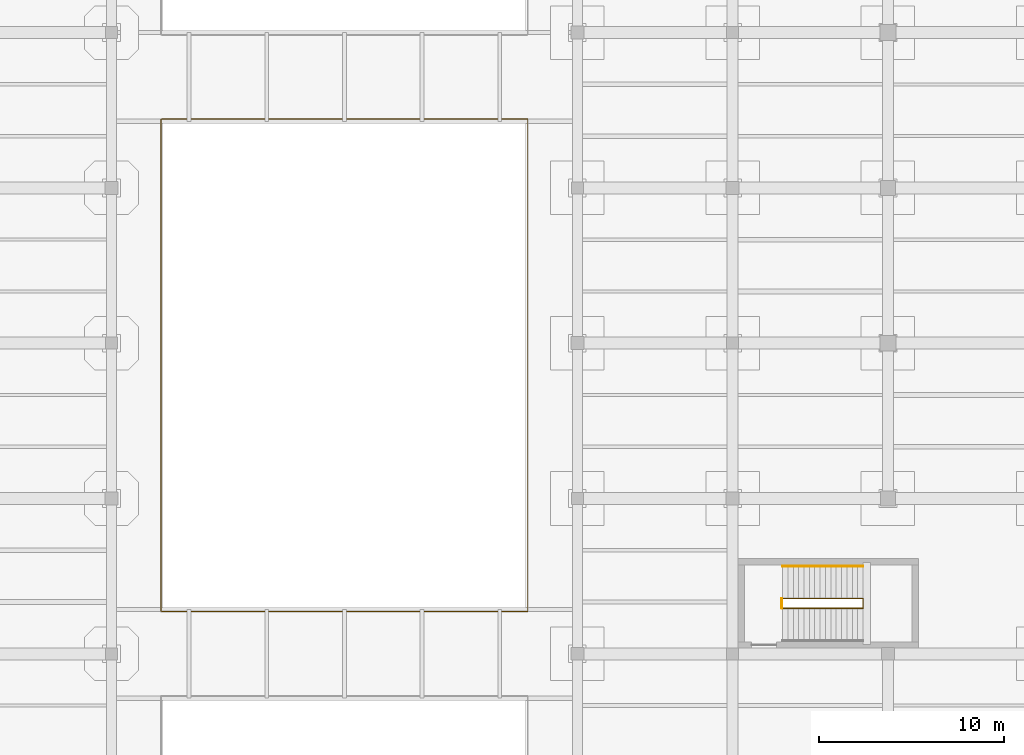
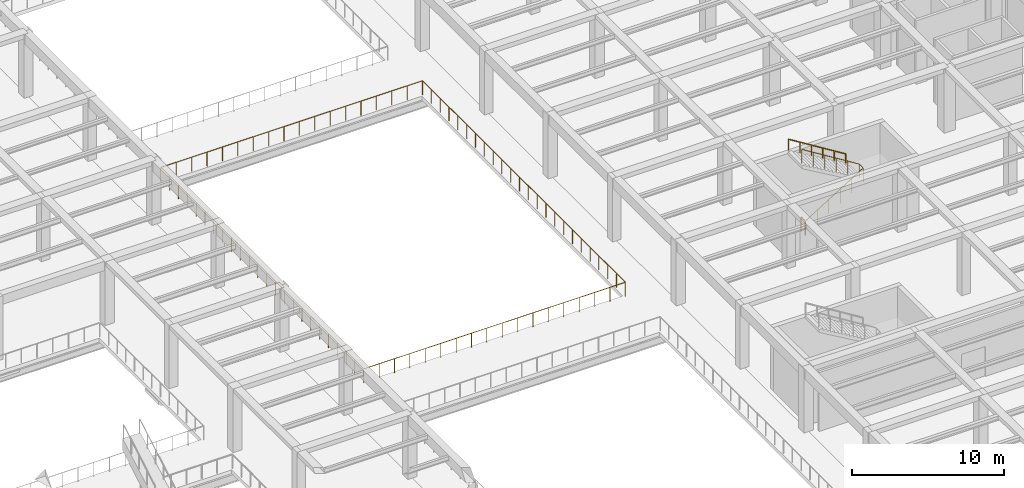
# One storey, part 60 of 65: 4 railings.
"""IFC4 building model written with IfcOpenShell, lengths in metres."""

import ifcopenshell
import ifcopenshell.guid

model = None  # the IFC model being written
_history = None  # IfcOwnerHistory: only IFC2X3 demands one
_inside = {}  # id of a spatial element -> (the spatial element, [elements in it])
_under = {}  # id of a project, library or spatial element -> (it, [spatial elements below it])
_declared = {}  # id of a project -> (the project, [libraries it declares])
_typed = {}  # id of a type object -> (the type object, [elements of that type])
_made_of = {}  # id of a material, layer set ... -> (it, [elements and type objects made of it])


def new_model(schema):
    """Start an empty IFC model of exactly this schema.

    Asked for "IFC4X3", IfcOpenShell would pick the latest addendum, in which some entities
    have other attributes; the version numbers below select the first issue.
    IFC2X3 requires an IfcOwnerHistory on every rooted entity: one is made here for all.
    """
    global model, _history
    if schema == "IFC4X3":
        model = ifcopenshell.file(schema_version=(4, 3, 0, 0))
    else:
        model = ifcopenshell.file(schema=schema)
    _inside.clear()
    _under.clear()
    _declared.clear()
    _typed.clear()
    _made_of.clear()
    _history = None
    if model.schema == "IFC2X3":
        org = make("IfcOrganization", Name="unknown")
        user = make(
            "IfcPersonAndOrganization",
            ThePerson=make("IfcPerson", FamilyName="unknown"),
            TheOrganization=org,
        )
        app = make(
            "IfcApplication",
            ApplicationDeveloper=org,
            Version="unknown",
            ApplicationFullName="unknown",
            ApplicationIdentifier="unknown",
        )
        _history = make(
            "IfcOwnerHistory",
            OwningUser=user,
            OwningApplication=app,
            ChangeAction="ADDED",
            CreationDate=0,
        )
    return model


def make(cls, **values):
    """One entity of the class cls with the attributes given. An attribute that is None is left unset."""
    return model.create_entity(
        cls, **{name: value for name, value in values.items() if value is not None}
    )


def rooted(cls, **values):
    """An entity with a GlobalId (a new one), such as an element, a storey or a relation."""
    return make(cls, GlobalId=ifcopenshell.guid.new(), OwnerHistory=_history, **values)


def si_unit(unit_type, name, prefix=None):
    """IfcSIUnit, for example si_unit("LENGTHUNIT", "METRE", prefix="MILLI")."""
    return make("IfcSIUnit", UnitType=unit_type, Prefix=prefix, Name=name)


def assignment(units):
    """IfcUnitAssignment: the units of a project."""
    return None if units is None else make("IfcUnitAssignment", Units=units)


def point(xyz):
    """IfcCartesianPoint."""
    return None if xyz is None else make("IfcCartesianPoint", Coordinates=xyz)


def direction(xyz):
    """IfcDirection."""
    return None if xyz is None else make("IfcDirection", DirectionRatios=xyz)


def frame(location, z_axis=None, x_axis=None):
    """IfcAxis2Placement3D, a coordinate frame: its origin and axes. An axis left out is left unset."""
    return make(
        "IfcAxis2Placement3D",
        Location=point(location),
        Axis=direction(z_axis),
        RefDirection=direction(x_axis),
    )


def frame_2d(location, x_axis=None):
    """IfcAxis2Placement2D, a coordinate frame in the plane: its origin and x axis."""
    return make(
        "IfcAxis2Placement2D", Location=point(location), RefDirection=direction(x_axis)
    )


def origin():
    """The frame at (0, 0, 0) with its axes left unset."""
    return frame((0.0, 0.0, 0.0))


def origin_2d():
    """The frame at (0, 0) in the plane with its x axis left unset."""
    return frame_2d((0.0, 0.0))


def place(relative_to, where):
    """IfcLocalPlacement: puts the frame where relative to a parent placement (None: the world)."""
    return make(
        "IfcLocalPlacement", PlacementRelTo=relative_to, RelativePlacement=where
    )


def context(
    kind, dimensions, precision=None, world=None, true_north=None, identifier=None
):
    """IfcGeometricRepresentationContext, for example the 3D "Model" context."""
    return make(
        "IfcGeometricRepresentationContext",
        ContextIdentifier=identifier,
        ContextType=kind,
        CoordinateSpaceDimension=dimensions,
        Precision=precision,
        WorldCoordinateSystem=world,
        TrueNorth=true_north,
    )


def subcontext(parent, identifier, kind, view, scale=None):
    """IfcGeometricRepresentationSubContext, for example "Body" below "Model"."""
    return make(
        "IfcGeometricRepresentationSubContext",
        ContextIdentifier=identifier,
        ContextType=kind,
        ParentContext=parent,
        TargetScale=scale,
        TargetView=view,
    )


def project(units=None, contexts=None):
    """IfcProject with its units and contexts."""
    return rooted(
        "IfcProject",
        Name="project",
        RepresentationContexts=contexts,
        UnitsInContext=assignment(units),
    )


def spatial(cls, under=None, at=None, **own):
    """A site, building, storey or space (cls), placed at a placement, below another one or the project."""
    s = rooted(cls, ObjectPlacement=at, **own)
    if under is not None:
        _under.setdefault(under.id(), (under, []))[1].append(s)
    return s


def profile(cls, at=None, kind="AREA", **sizes):
    """A parametric profile (cls). Its sizes go by their IFC names, for example OverallWidth=200.0."""
    return make(cls, ProfileType=kind, Position=at, **sizes)


def circle(**sizes):
    """IfcCircleProfileDef."""
    return profile("IfcCircleProfileDef", **sizes)


def extrude(swept, where, along, depth):
    """IfcExtrudedAreaSolid: the profile swept, set in the frame where, extruded along a direction by depth."""
    return make(
        "IfcExtrudedAreaSolid",
        SweptArea=swept,
        Position=where,
        ExtrudedDirection=direction(along),
        Depth=depth,
    )


def shape(context_of_items, identifier, shape_type, items):
    """IfcShapeRepresentation: the items that make up one representation, for example the "Body"."""
    return make(
        "IfcShapeRepresentation",
        ContextOfItems=context_of_items,
        RepresentationIdentifier=identifier,
        RepresentationType=shape_type,
        Items=items,
    )


def material(Name=None, Category=None):
    """IfcMaterial."""
    return make("IfcMaterial", Name=Name, Category=Category)


def made_of(thing, what):
    """Note that an element or type object is made of a material, layer set ...; save() writes the relation."""
    if what is not None:
        _made_of.setdefault(what.id(), (what, []))[1].append(thing)
    return thing


def type_object(cls, material=None, **own):
    """A type object (cls), such as IfcWallType, which elements share."""
    return made_of(rooted(cls, **own), material)


def element(
    cls,
    number,
    at=None,
    inside=None,
    cuts=None,
    type_object=None,
    material=None,
    context=None,
    identifier="Body",
    shape_type=None,
    held_by="IfcProductDefinitionShape",
    body=None,
    shapes=None,
    **own,
):
    """One element of the class cls, such as IfcWall. Its Tag is "e" and its number.

    at: its placement. inside: the storey or other place that contains it. cuts: it is an
    opening in that element (IfcRelVoidsElement). A single representation is given by context,
    identifier, shape_type and body (its items); several are given by shapes. held_by: the class
    of the entity that holds the representations. save() writes the other relations.
    """
    e = rooted(cls, Tag="e%d" % number, ObjectPlacement=at, **own)
    if body is not None:
        shapes = [shape(context, identifier, shape_type, body)]
    if shapes is not None:
        e.Representation = make(held_by, Representations=shapes)
    if inside is not None:
        _inside.setdefault(inside.id(), (inside, []))[1].append(e)
    if cuts is not None:
        rooted(
            "IfcRelVoidsElement", RelatingBuildingElement=cuts, RelatedOpeningElement=e
        )
    if type_object is not None:
        _typed.setdefault(type_object.id(), (type_object, []))[1].append(e)
    return made_of(e, material)


def aggregate(whole, parts):
    """IfcRelAggregates: a whole, such as a stair, and the parts it consists of."""
    return rooted("IfcRelAggregates", RelatingObject=whole, RelatedObjects=parts)


def save(model, path):
    """Write the relations noted so far, then the file.

    IfcRelAggregates (storeys below a building ...), IfcRelContainedInSpatialStructure (elements
    in a storey), IfcRelDefinesByType, IfcRelAssociatesMaterial and IfcRelDeclares: one each for
    every whole, place, type object, material and project.
    """
    for whole, parts in _under.values():
        aggregate(whole, parts)
    for where, things in _inside.values():
        rooted(
            "IfcRelContainedInSpatialStructure",
            RelatedElements=things,
            RelatingStructure=where,
        )
    for kind, things in _typed.values():
        rooted("IfcRelDefinesByType", RelatedObjects=things, RelatingType=kind)
    for what, things in _made_of.values():
        rooted("IfcRelAssociatesMaterial", RelatedObjects=things, RelatingMaterial=what)
    for by, libraries in _declared.values():
        rooted("IfcRelDeclares", RelatingContext=by, RelatedDefinitions=libraries)
    model.write(path)


model = new_model("IFC4")

# Units and contexts
model_context = context("Model", 3, precision=1e-05, world=origin(), true_north=direction((0.0, 1.0)))
body_context = subcontext(model_context, "Body", "Model", "MODEL_VIEW")
ifc_project = project(units=[si_unit("LENGTHUNIT", "METRE"), si_unit("AREAUNIT", "SQUARE_METRE"), si_unit("VOLUMEUNIT", "CUBIC_METRE"), si_unit("PLANEANGLEUNIT", "RADIAN"), si_unit("MASSUNIT", "GRAM", prefix="KILO")], contexts=[model_context])

# Site, building, storey
site_placement = place(None, origin())
site = spatial("IfcSite", under=ifc_project, at=site_placement, CompositionType="ELEMENT")
building_placement = place(site_placement, origin())
building = spatial("IfcBuilding", under=site, at=building_placement, Name="Almacenes y Pasaje Nevantli", CompositionType="ELEMENT")
storey_placement = place(building_placement, frame((0.0, 0.0, 16.800048828125)))
storey = spatial("IfcBuildingStorey", under=building, at=storey_placement, Name="L04", CompositionType="ELEMENT", Elevation=16.800048828125)

# Railings
ifc_material_1 = material(Name="Brushed Stainless Steel and Tempered Safety Glass", Category="steel")
railing_type_1 = type_object("IfcRailingType", Name="RL-GUARD-1100", PredefinedType="BALUSTRADE", material=ifc_material_1)
railing_1_placement = place(storey_placement, frame((103.5, 61.260009765625, 0.0)))
element("IfcRailing", 1, at=railing_1_placement, inside=storey, type_object=railing_type_1, Name="L04 Stair ST-13 Inner Well Guard Balustrade", PredefinedType="BALUSTRADE", context=body_context, shape_type="SweptSolid", body=[
    extrude(circle(Radius=0.02392578125, at=origin_2d()), frame((0.025390625, 0.0, 1.1416015625), z_axis=(0.849649743971, 0.0, 0.527347430608), x_axis=(0.0, 1.0, 0.0)), (0.0, 0.0, 1.0), 5.059814453125),
    extrude(circle(Radius=0.02392578125, at=origin_2d()), frame((4.35009765625, 0.030029296875, 3.82568359375), z_axis=(0.0, 1.0, 0.0), x_axis=(-1.0, 0.0, 0.0)), (0.0, 0.0, 1.0), 0.469970703125),
    extrude(circle(Radius=0.02392578125, at=origin_2d()), frame((4.32470703125, 0.530029296875, 3.841552734375), z_axis=(-0.849649743971, 0.0, 0.527347430608), x_axis=(0.0, -1.0, 0.0)), (0.0, 0.0, 1.0), 5.059814453125),
    extrude(circle(Radius=0.02099609375, at=origin_2d()), origin(), (0.0, 0.0, 1.0), 1.096923828125),
    extrude(circle(Radius=0.02099609375, at=origin_2d()), frame((0.8701171875, 0.0, 0.5400390625)), (0.0, 0.0, 1.0), 1.096923828125),
    extrude(circle(Radius=0.02099609375, at=origin_2d()), frame((1.739990234375, 0.0, 1.080078125)), (0.0, 0.0, 1.0), 1.096923828125),
    extrude(circle(Radius=0.02099609375, at=origin_2d()), frame((2.610107421875, 0.0, 1.619873046875)), (0.0, 0.0, 1.0), 1.096923828125),
    extrude(circle(Radius=0.02099609375, at=origin_2d()), frame((3.47998046875, 0.0, 2.159912109375)), (0.0, 0.0, 1.0), 1.096923828125),
    extrude(circle(Radius=0.02099609375, at=origin_2d()), frame((4.35009765625, 0.0, 2.699951171875)), (0.0, 0.0, 1.0), 1.096923828125),
    extrude(circle(Radius=0.02099609375, at=origin_2d()), frame((4.35009765625, 0.530029296875, 2.699951171875)), (0.0, 0.0, 1.0), 1.096923828125),
    extrude(circle(Radius=0.02099609375, at=origin_2d()), frame((3.47998046875, 0.530029296875, 3.239990234375)), (0.0, 0.0, 1.0), 1.096923828125),
    extrude(circle(Radius=0.02099609375, at=origin_2d()), frame((2.610107421875, 0.530029296875, 3.780029296875)), (0.0, 0.0, 1.0), 1.096923828125),
    extrude(circle(Radius=0.02099609375, at=origin_2d()), frame((1.739990234375, 0.530029296875, 4.31982421875)), (0.0, 0.0, 1.0), 1.096923828125),
    extrude(circle(Radius=0.02099609375, at=origin_2d()), frame((0.8701171875, 0.530029296875, 4.85986328125)), (0.0, 0.0, 1.0), 1.096923828125),
    extrude(circle(Radius=0.02099609375, at=origin_2d()), frame((0.0, 0.530029296875, 5.39990234375)), (0.0, 0.0, 1.0), 1.096923828125),
])
railing_2_placement = place(storey_placement, frame((103.4599609375, 61.260009765625, 0.0)))
element("IfcRailing", 2, at=railing_2_placement, inside=storey, type_object=railing_type_1, Name="L04 Stair ST-13 Landing Well Slot Guard", PredefinedType="BALUSTRADE", context=body_context, shape_type="SweptSolid", body=[
    extrude(circle(Radius=0.02392578125, at=origin_2d()), frame((0.0, 0.030029296875, 1.1259765625), z_axis=(0.0, 1.0, 0.0), x_axis=(-1.0, 0.0, 0.0)), (0.0, 0.0, 1.0), 0.469970703125),
    extrude(circle(Radius=0.02099609375, at=origin_2d()), origin(), (0.0, 0.0, 1.0), 1.096923828125),
    extrude(circle(Radius=0.02099609375, at=origin_2d()), frame((0.0, 0.530029296875, 0.0)), (0.0, 0.0, 1.0), 1.096923828125),
])
railing_3_placement = place(storey_placement, frame((69.8798828125, 61.080078125, 0.0)))
element("IfcRailing", 3, at=railing_3_placement, inside=storey, type_object=railing_type_1, Name="L04 Arcade Galleria Void VOID-ARC-3 Guard Balustrade", PredefinedType="BALUSTRADE", context=body_context, shape_type="SweptSolid", body=[
    extrude(circle(Radius=0.02392578125, at=origin_2d()), frame((0.030029296875, 0.0, 1.1259765625), z_axis=(1.0, 0.0, 0.0), x_axis=(0.0, 1.0, 0.0)), (0.0, 0.0, 1.0), 19.780029296875),
    extrude(circle(Radius=0.02392578125, at=origin_2d()), frame((19.840087890625, 0.030029296875, 1.1259765625), z_axis=(0.0, 1.0, 0.0), x_axis=(-1.0, 0.0, 0.0)), (0.0, 0.0, 1.0), 26.579833984375),
    extrude(circle(Radius=0.02392578125, at=origin_2d()), frame((19.81005859375, 26.639892578125, 1.1259765625), z_axis=(-1.0, 0.0, 0.0), x_axis=(0.0, -1.0, 0.0)), (0.0, 0.0, 1.0), 19.780029296875),
    extrude(circle(Radius=0.02392578125, at=origin_2d()), frame((0.0, 26.60986328125, 1.1259765625), z_axis=(0.0, -1.0, 0.0), x_axis=(1.0, 0.0, 0.0)), (0.0, 0.0, 1.0), 26.579833984375),
    extrude(circle(Radius=0.02099609375, at=origin_2d()), origin(), (0.0, 0.0, 1.0), 1.096923828125),
    extrude(circle(Radius=0.02099609375, at=origin_2d()), frame((1.1669921875, 0.0, 0.0)), (0.0, 0.0, 1.0), 1.096923828125),
    extrude(circle(Radius=0.02099609375, at=origin_2d()), frame((2.334228515625, 0.0, 0.0)), (0.0, 0.0, 1.0), 1.096923828125),
    extrude(circle(Radius=0.02099609375, at=origin_2d()), frame((3.501220703125, 0.0, 0.0)), (0.0, 0.0, 1.0), 1.096923828125),
    extrude(circle(Radius=0.02099609375, at=origin_2d()), frame((4.668212890625, 0.0, 0.0)), (0.0, 0.0, 1.0), 1.096923828125),
    extrude(circle(Radius=0.02099609375, at=origin_2d()), frame((5.835205078125, 0.0, 0.0)), (0.0, 0.0, 1.0), 1.096923828125),
    extrude(circle(Radius=0.02099609375, at=origin_2d()), frame((7.00244140625, 0.0, 0.0)), (0.0, 0.0, 1.0), 1.096923828125),
    extrude(circle(Radius=0.02099609375, at=origin_2d()), frame((8.16943359375, 0.0, 0.0)), (0.0, 0.0, 1.0), 1.096923828125),
    extrude(circle(Radius=0.02099609375, at=origin_2d()), frame((9.33642578125, 0.0, 0.0)), (0.0, 0.0, 1.0), 1.096923828125),
    extrude(circle(Radius=0.02099609375, at=origin_2d()), frame((10.503662109375, 0.0, 0.0)), (0.0, 0.0, 1.0), 1.096923828125),
    extrude(circle(Radius=0.02099609375, at=origin_2d()), frame((11.670654296875, 0.0, 0.0)), (0.0, 0.0, 1.0), 1.096923828125),
    extrude(circle(Radius=0.02099609375, at=origin_2d()), frame((12.837646484375, 0.0, 0.0)), (0.0, 0.0, 1.0), 1.096923828125),
    extrude(circle(Radius=0.02099609375, at=origin_2d()), frame((14.0048828125, 0.0, 0.0)), (0.0, 0.0, 1.0), 1.096923828125),
    extrude(circle(Radius=0.02099609375, at=origin_2d()), frame((15.171875, 0.0, 0.0)), (0.0, 0.0, 1.0), 1.096923828125),
    extrude(circle(Radius=0.02099609375, at=origin_2d()), frame((16.3388671875, 0.0, 0.0)), (0.0, 0.0, 1.0), 1.096923828125),
    extrude(circle(Radius=0.02099609375, at=origin_2d()), frame((17.505859375, 0.0, 0.0)), (0.0, 0.0, 1.0), 1.096923828125),
    extrude(circle(Radius=0.02099609375, at=origin_2d()), frame((18.673095703125, 0.0, 0.0)), (0.0, 0.0, 1.0), 1.096923828125),
    extrude(circle(Radius=0.02099609375, at=origin_2d()), frame((19.840087890625, 0.0, 0.0)), (0.0, 0.0, 1.0), 1.096923828125),
    extrude(circle(Radius=0.02099609375, at=origin_2d()), frame((19.840087890625, 1.158203125, 0.0)), (0.0, 0.0, 1.0), 1.096923828125),
    extrude(circle(Radius=0.02099609375, at=origin_2d()), frame((19.840087890625, 2.31640625, 0.0)), (0.0, 0.0, 1.0), 1.096923828125),
    extrude(circle(Radius=0.02099609375, at=origin_2d()), frame((19.840087890625, 3.474853515625, 0.0)), (0.0, 0.0, 1.0), 1.096923828125),
    extrude(circle(Radius=0.02099609375, at=origin_2d()), frame((19.840087890625, 4.633056640625, 0.0)), (0.0, 0.0, 1.0), 1.096923828125),
    extrude(circle(Radius=0.02099609375, at=origin_2d()), frame((19.840087890625, 5.791259765625, 0.0)), (0.0, 0.0, 1.0), 1.096923828125),
    extrude(circle(Radius=0.02099609375, at=origin_2d()), frame((19.840087890625, 6.949462890625, 0.0)), (0.0, 0.0, 1.0), 1.096923828125),
    extrude(circle(Radius=0.02099609375, at=origin_2d()), frame((19.840087890625, 8.10791015625, 0.0)), (0.0, 0.0, 1.0), 1.096923828125),
    extrude(circle(Radius=0.02099609375, at=origin_2d()), frame((19.840087890625, 9.26611328125, 0.0)), (0.0, 0.0, 1.0), 1.096923828125),
    extrude(circle(Radius=0.02099609375, at=origin_2d()), frame((19.840087890625, 10.42431640625, 0.0)), (0.0, 0.0, 1.0), 1.096923828125),
    extrude(circle(Radius=0.02099609375, at=origin_2d()), frame((19.840087890625, 11.58251953125, 0.0)), (0.0, 0.0, 1.0), 1.096923828125),
    extrude(circle(Radius=0.02099609375, at=origin_2d()), frame((19.840087890625, 12.74072265625, 0.0)), (0.0, 0.0, 1.0), 1.096923828125),
    extrude(circle(Radius=0.02099609375, at=origin_2d()), frame((19.840087890625, 13.899169921875, 0.0)), (0.0, 0.0, 1.0), 1.096923828125),
    extrude(circle(Radius=0.02099609375, at=origin_2d()), frame((19.840087890625, 15.057373046875, 0.0)), (0.0, 0.0, 1.0), 1.096923828125),
    extrude(circle(Radius=0.02099609375, at=origin_2d()), frame((19.840087890625, 16.215576171875, 0.0)), (0.0, 0.0, 1.0), 1.096923828125),
    extrude(circle(Radius=0.02099609375, at=origin_2d()), frame((19.840087890625, 17.373779296875, 0.0)), (0.0, 0.0, 1.0), 1.096923828125),
    extrude(circle(Radius=0.02099609375, at=origin_2d()), frame((19.840087890625, 18.531982421875, 0.0)), (0.0, 0.0, 1.0), 1.096923828125),
    extrude(circle(Radius=0.02099609375, at=origin_2d()), frame((19.840087890625, 19.6904296875, 0.0)), (0.0, 0.0, 1.0), 1.096923828125),
    extrude(circle(Radius=0.02099609375, at=origin_2d()), frame((19.840087890625, 20.8486328125, 0.0)), (0.0, 0.0, 1.0), 1.096923828125),
    extrude(circle(Radius=0.02099609375, at=origin_2d()), frame((19.840087890625, 22.0068359375, 0.0)), (0.0, 0.0, 1.0), 1.096923828125),
    extrude(circle(Radius=0.02099609375, at=origin_2d()), frame((19.840087890625, 23.1650390625, 0.0)), (0.0, 0.0, 1.0), 1.096923828125),
    extrude(circle(Radius=0.02099609375, at=origin_2d()), frame((19.840087890625, 24.323486328125, 0.0)), (0.0, 0.0, 1.0), 1.096923828125),
    extrude(circle(Radius=0.02099609375, at=origin_2d()), frame((19.840087890625, 25.481689453125, 0.0)), (0.0, 0.0, 1.0), 1.096923828125),
    extrude(circle(Radius=0.02099609375, at=origin_2d()), frame((19.840087890625, 26.639892578125, 0.0)), (0.0, 0.0, 1.0), 1.096923828125),
    extrude(circle(Radius=0.02099609375, at=origin_2d()), frame((18.673095703125, 26.639892578125, 0.0)), (0.0, 0.0, 1.0), 1.096923828125),
    extrude(circle(Radius=0.02099609375, at=origin_2d()), frame((17.505859375, 26.639892578125, 0.0)), (0.0, 0.0, 1.0), 1.096923828125),
    extrude(circle(Radius=0.02099609375, at=origin_2d()), frame((16.3388671875, 26.639892578125, 0.0)), (0.0, 0.0, 1.0), 1.096923828125),
    extrude(circle(Radius=0.02099609375, at=origin_2d()), frame((15.171875, 26.639892578125, 0.0)), (0.0, 0.0, 1.0), 1.096923828125),
    extrude(circle(Radius=0.02099609375, at=origin_2d()), frame((14.0048828125, 26.639892578125, 0.0)), (0.0, 0.0, 1.0), 1.096923828125),
    extrude(circle(Radius=0.02099609375, at=origin_2d()), frame((12.837646484375, 26.639892578125, 0.0)), (0.0, 0.0, 1.0), 1.096923828125),
    extrude(circle(Radius=0.02099609375, at=origin_2d()), frame((11.670654296875, 26.639892578125, 0.0)), (0.0, 0.0, 1.0), 1.096923828125),
    extrude(circle(Radius=0.02099609375, at=origin_2d()), frame((10.503662109375, 26.639892578125, 0.0)), (0.0, 0.0, 1.0), 1.096923828125),
    extrude(circle(Radius=0.02099609375, at=origin_2d()), frame((9.33642578125, 26.639892578125, 0.0)), (0.0, 0.0, 1.0), 1.096923828125),
    extrude(circle(Radius=0.02099609375, at=origin_2d()), frame((8.16943359375, 26.639892578125, 0.0)), (0.0, 0.0, 1.0), 1.096923828125),
    extrude(circle(Radius=0.02099609375, at=origin_2d()), frame((7.00244140625, 26.639892578125, 0.0)), (0.0, 0.0, 1.0), 1.096923828125),
    extrude(circle(Radius=0.02099609375, at=origin_2d()), frame((5.835205078125, 26.639892578125, 0.0)), (0.0, 0.0, 1.0), 1.096923828125),
    extrude(circle(Radius=0.02099609375, at=origin_2d()), frame((4.668212890625, 26.639892578125, 0.0)), (0.0, 0.0, 1.0), 1.096923828125),
    extrude(circle(Radius=0.02099609375, at=origin_2d()), frame((3.501220703125, 26.639892578125, 0.0)), (0.0, 0.0, 1.0), 1.096923828125),
    extrude(circle(Radius=0.02099609375, at=origin_2d()), frame((2.334228515625, 26.639892578125, 0.0)), (0.0, 0.0, 1.0), 1.096923828125),
    extrude(circle(Radius=0.02099609375, at=origin_2d()), frame((1.1669921875, 26.639892578125, 0.0)), (0.0, 0.0, 1.0), 1.096923828125),
    extrude(circle(Radius=0.02099609375, at=origin_2d()), frame((0.0, 26.639892578125, 0.0)), (0.0, 0.0, 1.0), 1.096923828125),
    extrude(circle(Radius=0.02099609375, at=origin_2d()), frame((0.0, 25.481689453125, 0.0)), (0.0, 0.0, 1.0), 1.096923828125),
    extrude(circle(Radius=0.02099609375, at=origin_2d()), frame((0.0, 24.323486328125, 0.0)), (0.0, 0.0, 1.0), 1.096923828125),
    extrude(circle(Radius=0.02099609375, at=origin_2d()), frame((0.0, 23.1650390625, 0.0)), (0.0, 0.0, 1.0), 1.096923828125),
    extrude(circle(Radius=0.02099609375, at=origin_2d()), frame((0.0, 22.0068359375, 0.0)), (0.0, 0.0, 1.0), 1.096923828125),
    extrude(circle(Radius=0.02099609375, at=origin_2d()), frame((0.0, 20.8486328125, 0.0)), (0.0, 0.0, 1.0), 1.096923828125),
    extrude(circle(Radius=0.02099609375, at=origin_2d()), frame((0.0, 19.6904296875, 0.0)), (0.0, 0.0, 1.0), 1.096923828125),
    extrude(circle(Radius=0.02099609375, at=origin_2d()), frame((0.0, 18.531982421875, 0.0)), (0.0, 0.0, 1.0), 1.096923828125),
    extrude(circle(Radius=0.02099609375, at=origin_2d()), frame((0.0, 17.373779296875, 0.0)), (0.0, 0.0, 1.0), 1.096923828125),
    extrude(circle(Radius=0.02099609375, at=origin_2d()), frame((0.0, 16.215576171875, 0.0)), (0.0, 0.0, 1.0), 1.096923828125),
    extrude(circle(Radius=0.02099609375, at=origin_2d()), frame((0.0, 15.057373046875, 0.0)), (0.0, 0.0, 1.0), 1.096923828125),
    extrude(circle(Radius=0.02099609375, at=origin_2d()), frame((0.0, 13.899169921875, 0.0)), (0.0, 0.0, 1.0), 1.096923828125),
    extrude(circle(Radius=0.02099609375, at=origin_2d()), frame((0.0, 12.74072265625, 0.0)), (0.0, 0.0, 1.0), 1.096923828125),
    extrude(circle(Radius=0.02099609375, at=origin_2d()), frame((0.0, 11.58251953125, 0.0)), (0.0, 0.0, 1.0), 1.096923828125),
    extrude(circle(Radius=0.02099609375, at=origin_2d()), frame((0.0, 10.42431640625, 0.0)), (0.0, 0.0, 1.0), 1.096923828125),
    extrude(circle(Radius=0.02099609375, at=origin_2d()), frame((0.0, 9.26611328125, 0.0)), (0.0, 0.0, 1.0), 1.096923828125),
    extrude(circle(Radius=0.02099609375, at=origin_2d()), frame((0.0, 8.10791015625, 0.0)), (0.0, 0.0, 1.0), 1.096923828125),
    extrude(circle(Radius=0.02099609375, at=origin_2d()), frame((0.0, 6.949462890625, 0.0)), (0.0, 0.0, 1.0), 1.096923828125),
    extrude(circle(Radius=0.02099609375, at=origin_2d()), frame((0.0, 5.791259765625, 0.0)), (0.0, 0.0, 1.0), 1.096923828125),
    extrude(circle(Radius=0.02099609375, at=origin_2d()), frame((0.0, 4.633056640625, 0.0)), (0.0, 0.0, 1.0), 1.096923828125),
    extrude(circle(Radius=0.02099609375, at=origin_2d()), frame((0.0, 3.474853515625, 0.0)), (0.0, 0.0, 1.0), 1.096923828125),
    extrude(circle(Radius=0.02099609375, at=origin_2d()), frame((0.0, 2.31640625, 0.0)), (0.0, 0.0, 1.0), 1.096923828125),
    extrude(circle(Radius=0.02099609375, at=origin_2d()), frame((0.0, 1.158203125, 0.0)), (0.0, 0.0, 1.0), 1.096923828125),
])
ifc_material_2 = material(Name="Brushed Stainless Steel Tube", Category="steel")
railing_type_2 = type_object("IfcRailingType", Name="RL-HANDRAIL-900", PredefinedType="HANDRAIL", material=ifc_material_2)
railing_4_placement = place(storey_placement, frame((107.85009765625, 63.5400390625, 2.699951171875)))
element("IfcRailing", 4, at=railing_4_placement, inside=storey, type_object=railing_type_2, Name="L04 Stair ST-13 Upper Flight Handrail", PredefinedType="HANDRAIL", context=body_context, shape_type="SweptSolid", body=[
    extrude(circle(Radius=0.02392578125, at=origin_2d()), frame((-0.025390625, 0.0, 0.8916015625), z_axis=(-0.849649743971, 0.0, 0.527347430608), x_axis=(0.0, -1.0, 0.0)), (0.0, 0.0, 1.0), 5.059814453125),
    extrude(circle(Radius=0.02099609375, at=origin_2d()), origin(), (0.0, 0.0, 1.0), 0.846923828125),
    extrude(circle(Radius=0.02099609375, at=origin_2d()), frame((-0.8701171875, 0.0, 0.5400390625)), (0.0, 0.0, 1.0), 0.846923828125),
    extrude(circle(Radius=0.02099609375, at=origin_2d()), frame((-1.739990234375, 0.0, 1.080078125)), (0.0, 0.0, 1.0), 0.846923828125),
    extrude(circle(Radius=0.02099609375, at=origin_2d()), frame((-2.610107421875, 0.0, 1.619873046875)), (0.0, 0.0, 1.0), 0.846923828125),
    extrude(circle(Radius=0.02099609375, at=origin_2d()), frame((-3.47998046875, 0.0, 2.159912109375)), (0.0, 0.0, 1.0), 0.846923828125),
    extrude(circle(Radius=0.02099609375, at=origin_2d()), frame((-4.35009765625, 0.0, 2.699951171875)), (0.0, 0.0, 1.0), 0.846923828125),
])

save(model, "model.ifc")
